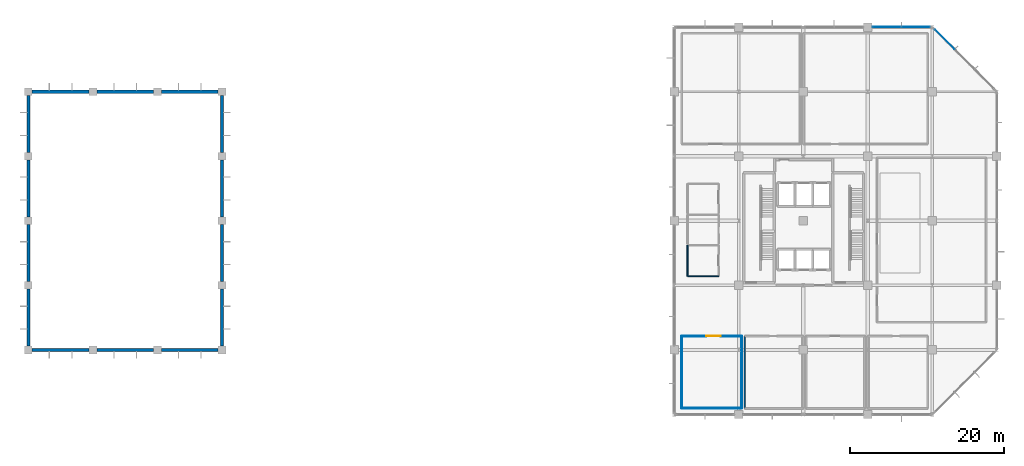
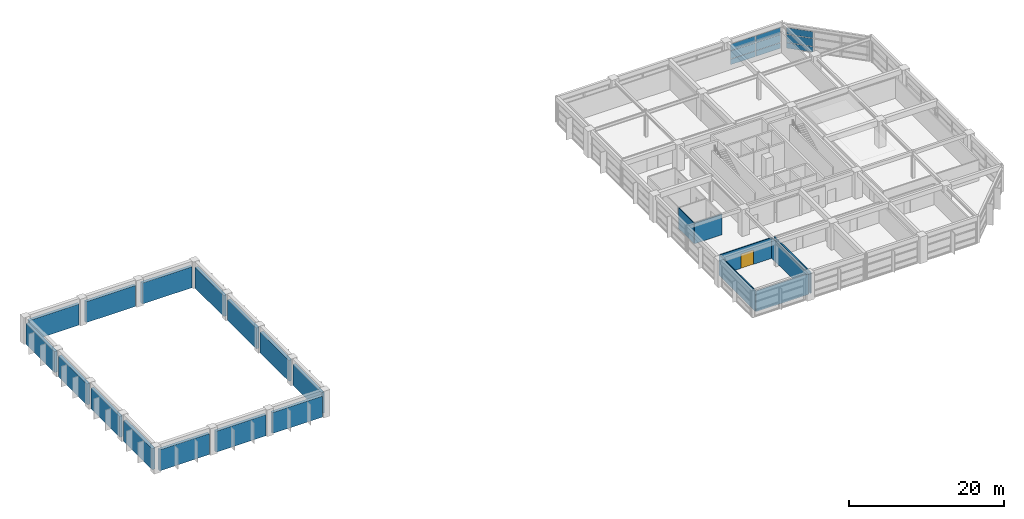
# One storey, part 14 of 18: 21 walls, 9 plates, 1 door, 1 opening, 2 elements without a shape of their own.
"""IFC4 building model written with IfcOpenShell, lengths in metres."""

from ifc_helpers import new_model, si_unit, direction, frame, frame_2d, origin, origin_2d, place, context, subcontext, project, spatial, rectangle, extrude, material, layer, layer_set, type_object, element, fill, aggregate, save


model = new_model("IFC4")

# Units and contexts
model_context = context("Model", 3, precision=1e-05, world=origin(), true_north=direction((0.0, 1.0)))
body_context = subcontext(model_context, "Body", "Model", "MODEL_VIEW")
ifc_project = project(units=[si_unit("LENGTHUNIT", "METRE"), si_unit("AREAUNIT", "SQUARE_METRE"), si_unit("VOLUMEUNIT", "CUBIC_METRE"), si_unit("PLANEANGLEUNIT", "RADIAN"), si_unit("MASSUNIT", "GRAM", prefix="KILO")], contexts=[model_context])

# Site, building, storey
site_placement = place(None, origin())
site = spatial("IfcSite", under=ifc_project, at=site_placement, CompositionType="ELEMENT")
building_placement = place(site_placement, origin())
building = spatial("IfcBuilding", under=site, at=building_placement, Name="Xuanlan Plaza Opera House", CompositionType="ELEMENT")
storey_placement = place(building_placement, frame((0.0, 0.0, 32.10009765625)))
storey = spatial("IfcBuildingStorey", under=building, at=storey_placement, Name="L07", CompositionType="ELEMENT", Elevation=32.10009765625)

# Curtain wall, plates
ifc_material_1 = material(Name="Anodised Aluminium 6063-T6 and Low-E Glass", Category="aluminium")
curtain_wall_type_1 = type_object("IfcCurtainWallType", Name="ENV-CW-CW-04", PredefinedType="USERDEFINED", material=ifc_material_1)
curtain_wall_1_placement = place(storey_placement, origin())
curtain_wall_1 = element("IfcCurtainWall", 1, at=curtain_wall_1_placement, inside=storey, type_object=curtain_wall_type_1, Name="Unitised Curtain Wall L07-011", ObjectType="UNITISED CURTAIN WALL", PredefinedType="USERDEFINED")
ifc_material_2 = material(Name="Laminated Acoustic Double Glazing", Category="glass")
ifc_layer_1 = layer(ifc_material_2, 0.031982421875)
ifc_layer_set_1 = layer_set([ifc_layer_1], Name="Laminated Acoustic Double Glazing")
plate_type_1 = type_object("IfcPlateType", Name="ENV-CWP-02", PredefinedType="CURTAIN_PANEL", material=ifc_layer_set_1)
plate_1_placement = place(storey_placement, frame((157.455078125, 84.0, 0.06494140625), z_axis=(0.0, 0.0, 1.0), x_axis=(-1.0, 0.0, 0.0)))
plate_1 = element("IfcPlate", 2, at=plate_1_placement, type_object=plate_type_1, Name="CW-04 panel 1.1", PredefinedType="CURTAIN_PANEL", context=body_context, shape_type="SweptSolid", body=[
    extrude(rectangle(XDim=3.669921875, YDim=0.031982421875, at=origin_2d()), origin(), (0.0, 0.0, 1.0), 0.8525390625),
])
plate_2_placement = place(storey_placement, frame((157.455078125, 84.0, 0.982421875), z_axis=(0.0, 0.0, 1.0), x_axis=(-1.0, 0.0, 0.0)))
plate_2 = element("IfcPlate", 3, at=plate_2_placement, type_object=plate_type_1, Name="CW-04 panel 1.2", PredefinedType="CURTAIN_PANEL", context=body_context, shape_type="SweptSolid", body=[
    extrude(rectangle(XDim=3.669921875, YDim=0.031982421875, at=origin_2d()), origin(), (0.0, 0.0, 1.0), 1.235107421875),
])
plate_3_placement = place(storey_placement, frame((157.455078125, 84.0, 2.2822265625), z_axis=(0.0, 0.0, 1.0), x_axis=(-1.0, 0.0, 0.0)))
plate_3 = element("IfcPlate", 4, at=plate_3_placement, type_object=plate_type_1, Name="CW-04 panel 1.3", PredefinedType="CURTAIN_PANEL", context=body_context, shape_type="SweptSolid", body=[
    extrude(rectangle(XDim=3.669921875, YDim=0.031982421875, at=origin_2d()), origin(), (0.0, 0.0, 1.0), 1.032470703125),
])
plate_4_placement = place(storey_placement, frame((153.695068359375, 84.0, 0.06494140625), z_axis=(0.0, 0.0, 1.0), x_axis=(-1.0, 0.0, 0.0)))
plate_4 = element("IfcPlate", 5, at=plate_4_placement, type_object=plate_type_1, Name="CW-04 panel 2.1", PredefinedType="CURTAIN_PANEL", context=body_context, shape_type="SweptSolid", body=[
    extrude(rectangle(XDim=3.669921875, YDim=0.031982421875, at=origin_2d()), origin(), (0.0, 0.0, 1.0), 0.8525390625),
])
plate_5_placement = place(storey_placement, frame((153.695068359375, 84.0, 0.982421875), z_axis=(0.0, 0.0, 1.0), x_axis=(-1.0, 0.0, 0.0)))
plate_5 = element("IfcPlate", 6, at=plate_5_placement, type_object=plate_type_1, Name="CW-04 panel 2.2", PredefinedType="CURTAIN_PANEL", context=body_context, shape_type="SweptSolid", body=[
    extrude(rectangle(XDim=3.669921875, YDim=0.031982421875, at=origin_2d()), origin(), (0.0, 0.0, 1.0), 1.235107421875),
])
plate_6_placement = place(storey_placement, frame((153.695068359375, 84.0, 2.2822265625), z_axis=(0.0, 0.0, 1.0), x_axis=(-1.0, 0.0, 0.0)))
plate_6 = element("IfcPlate", 7, at=plate_6_placement, type_object=plate_type_1, Name="CW-04 panel 2.3", PredefinedType="CURTAIN_PANEL", context=body_context, shape_type="SweptSolid", body=[
    extrude(rectangle(XDim=3.669921875, YDim=0.031982421875, at=origin_2d()), origin(), (0.0, 0.0, 1.0), 1.032470703125),
])
aggregate(curtain_wall_1, [plate_1, plate_2, plate_3, plate_4, plate_5, plate_6])

curtain_wall_type_2 = type_object("IfcCurtainWallType", Name="ENV-CW-CW-03", PredefinedType="USERDEFINED", material=ifc_material_1)
curtain_wall_2_placement = place(storey_placement, origin())
curtain_wall_2 = element("IfcCurtainWall", 8, at=curtain_wall_2_placement, inside=storey, type_object=curtain_wall_type_2, Name="Unitised Curtain Wall L07-010", ObjectType="UNITISED CURTAIN WALL", PredefinedType="USERDEFINED")
ifc_layer_2 = layer(ifc_material_2, 0.0400390625)
ifc_layer_set_2 = layer_set([ifc_layer_2], Name="Laminated Acoustic Double Glazing")
plate_type_2 = type_object("IfcPlateType", Name="ENV-CWP-04", PredefinedType="CURTAIN_PANEL", material=ifc_layer_set_2)
plate_7_placement = place(storey_placement, frame((161.21337890625, 82.386474609375, 0.079833984375), z_axis=(0.0, 0.0, 1.0), x_axis=(-0.707106781187, 0.707106781187, 0.0)))
plate_7 = element("IfcPlate", 9, at=plate_7_placement, type_object=plate_type_2, Name="CW-03 panel 3.1", PredefinedType="CURTAIN_PANEL", context=body_context, shape_type="SweptSolid", body=[
    extrude(rectangle(XDim=3.557861328125, YDim=0.0400390625, at=origin_2d()), origin(), (0.0, 0.0, 1.0), 0.830078125),
])
plate_8_placement = place(storey_placement, frame((161.21337890625, 82.386474609375, 0.98974609375), z_axis=(0.0, 0.0, 1.0), x_axis=(-0.707106781187, 0.707106781187, 0.0)))
plate_8 = element("IfcPlate", 10, at=plate_8_placement, type_object=plate_type_2, Name="CW-03 panel 3.2", PredefinedType="CURTAIN_PANEL", context=body_context, shape_type="SweptSolid", body=[
    extrude(rectangle(XDim=3.557861328125, YDim=0.0400390625, at=origin_2d()), origin(), (0.0, 0.0, 1.0), 1.219970703125),
])
plate_9_placement = place(storey_placement, frame((161.21337890625, 82.386474609375, 2.2900390625), z_axis=(0.0, 0.0, 1.0), x_axis=(-0.707106781187, 0.707106781187, 0.0)))
plate_9 = element("IfcPlate", 11, at=plate_9_placement, type_object=plate_type_2, Name="CW-03 panel 3.3", PredefinedType="CURTAIN_PANEL", context=body_context, shape_type="SweptSolid", body=[
    extrude(rectangle(XDim=3.557861328125, YDim=0.0400390625, at=origin_2d()), origin(), (0.0, 0.0, 1.0), 1.010009765625),
])
aggregate(curtain_wall_2, [plate_7, plate_8, plate_9])

# Walls
ifc_material_3 = material(Name="Concrete C40", Category="concrete")
ifc_layer_3 = layer(ifc_material_3, 0.419921875)
ifc_layer_set_3 = layer_set([ifc_layer_3], Name="Concrete C40")
wall_type_1 = type_object("IfcWallType", Name="ENV-WL-EW-FLY", PredefinedType="SHEAR", material=ifc_layer_set_3)
wall_1_placement = place(storey_placement, frame((42.5, 42.0, 0.0), z_axis=(0.0, 0.0, 1.0), x_axis=(1.0, 0.0, 0.0)))
element("IfcWall", 12, at=wall_1_placement, inside=storey, type_object=wall_type_1, Name="Fly Tower Acoustic Enclosure Wall L07-01", PredefinedType="SHEAR", context=body_context, shape_type="SweptSolid", body=[
    extrude(rectangle(XDim=7.39990234375, YDim=0.419921875, at=frame_2d((3.699951171875, 0.0))), origin(), (0.0, 0.0, 1.0), 3.2998046875),
])
wall_2_placement = place(storey_placement, frame((50.89990234375, 42.0, 0.0), z_axis=(0.0, 0.0, 1.0), x_axis=(1.0, 0.0, 0.0)))
element("IfcWall", 13, at=wall_2_placement, inside=storey, type_object=wall_type_1, Name="Fly Tower Acoustic Enclosure Wall L07-02", PredefinedType="SHEAR", context=body_context, shape_type="SweptSolid", body=[
    extrude(rectangle(XDim=7.400146484375, YDim=0.419921875, at=frame_2d((3.7001953125, 0.0))), origin(), (0.0, 0.0, 1.0), 3.2998046875),
])
for number, where, z_axis, x_axis, name in (
    (14, (59.300048828125, 42.0, 0.0), (0.0, 0.0, 1.0), (1.0, 0.0, 0.0), "Fly Tower Acoustic Enclosure Wall L07-03"),
    (15, (67.199951171875, 42.5, 0.0), (0.0, 0.0, 1.0), (0.0, 1.0, 0.0), "Fly Tower Acoustic Enclosure Wall L07-04"),
):
    element("IfcWall", number, at=place(storey_placement, frame(where, z_axis=z_axis, x_axis=x_axis)), inside=storey, type_object=wall_type_1, Name=name, PredefinedType="SHEAR", context=body_context, shape_type="SweptSolid", body=[
        extrude(rectangle(XDim=7.39990234375, YDim=0.419921875, at=frame_2d((3.699951171875, 0.0))), origin(), (0.0, 0.0, 1.0), 3.2998046875),
    ])
wall_3_placement = place(storey_placement, frame((67.199951171875, 50.89990234375, 0.0), z_axis=(0.0, 0.0, 1.0), x_axis=(0.0, 1.0, 0.0)))
element("IfcWall", 16, at=wall_3_placement, inside=storey, type_object=wall_type_1, Name="Fly Tower Acoustic Enclosure Wall L07-05", PredefinedType="SHEAR", context=body_context, shape_type="SweptSolid", body=[
    extrude(rectangle(XDim=7.400146484375, YDim=0.419921875, at=frame_2d((3.7001953125, 0.0))), origin(), (0.0, 0.0, 1.0), 3.2998046875),
])
wall_4_placement = place(storey_placement, frame((67.199951171875, 59.300048828125, 0.0), z_axis=(0.0, 0.0, 1.0), x_axis=(0.0, 1.0, 0.0)))
element("IfcWall", 17, at=wall_4_placement, inside=storey, type_object=wall_type_1, Name="Fly Tower Acoustic Enclosure Wall L07-06", PredefinedType="SHEAR", context=body_context, shape_type="SweptSolid", body=[
    extrude(rectangle(XDim=7.39990234375, YDim=0.419921875, at=frame_2d((3.699951171875, 0.0))), origin(), (0.0, 0.0, 1.0), 3.2998046875),
])
wall_5_placement = place(storey_placement, frame((67.199951171875, 67.699951171875, 0.0), z_axis=(0.0, 0.0, 1.0), x_axis=(0.0, 1.0, 0.0)))
element("IfcWall", 18, at=wall_5_placement, inside=storey, type_object=wall_type_1, Name="Fly Tower Acoustic Enclosure Wall L07-07", PredefinedType="SHEAR", context=body_context, shape_type="SweptSolid", body=[
    extrude(rectangle(XDim=7.400146484375, YDim=0.419921875, at=frame_2d((3.7001953125, 0.0))), origin(), (0.0, 0.0, 1.0), 3.2998046875),
])
wall_6_placement = place(storey_placement, frame((66.699951171875, 75.60009765625, 0.0), z_axis=(0.0, 0.0, 1.0), x_axis=(-1.0, 0.0, 0.0)))
element("IfcWall", 19, at=wall_6_placement, inside=storey, type_object=wall_type_1, Name="Fly Tower Acoustic Enclosure Wall L07-08", PredefinedType="SHEAR", context=body_context, shape_type="SweptSolid", body=[
    extrude(rectangle(XDim=7.39990234375, YDim=0.419921875, at=frame_2d((3.699951171875, 0.0))), origin(), (0.0, 0.0, 1.0), 3.2998046875),
])
wall_7_placement = place(storey_placement, frame((58.300048828125, 75.60009765625, 0.0), z_axis=(0.0, 0.0, 1.0), x_axis=(-1.0, 0.0, 0.0)))
element("IfcWall", 20, at=wall_7_placement, inside=storey, type_object=wall_type_1, Name="Fly Tower Acoustic Enclosure Wall L07-09", PredefinedType="SHEAR", context=body_context, shape_type="SweptSolid", body=[
    extrude(rectangle(XDim=7.400146484375, YDim=0.419921875, at=frame_2d((3.7001953125, 0.0))), origin(), (0.0, 0.0, 1.0), 3.2998046875),
])
wall_8_placement = place(storey_placement, frame((49.89990234375, 75.60009765625, 0.0), z_axis=(0.0, 0.0, 1.0), x_axis=(-1.0, 0.0, 0.0)))
element("IfcWall", 21, at=wall_8_placement, inside=storey, type_object=wall_type_1, Name="Fly Tower Acoustic Enclosure Wall L07-10", PredefinedType="SHEAR", context=body_context, shape_type="SweptSolid", body=[
    extrude(rectangle(XDim=7.39990234375, YDim=0.419921875, at=frame_2d((3.699951171875, 0.0))), origin(), (0.0, 0.0, 1.0), 3.2998046875),
])
wall_9_placement = place(storey_placement, frame((42.0, 75.10009765625, 0.0), z_axis=(0.0, 0.0, 1.0), x_axis=(0.0, -1.0, 0.0)))
element("IfcWall", 22, at=wall_9_placement, inside=storey, type_object=wall_type_1, Name="Fly Tower Acoustic Enclosure Wall L07-11", PredefinedType="SHEAR", context=body_context, shape_type="SweptSolid", body=[
    extrude(rectangle(XDim=7.400146484375, YDim=0.419921875, at=frame_2d((3.7001953125, 0.0))), origin(), (0.0, 0.0, 1.0), 3.2998046875),
])
wall_10_placement = place(storey_placement, frame((42.0, 66.699951171875, 0.0), z_axis=(0.0, 0.0, 1.0), x_axis=(0.0, -1.0, 0.0)))
element("IfcWall", 23, at=wall_10_placement, inside=storey, type_object=wall_type_1, Name="Fly Tower Acoustic Enclosure Wall L07-12", PredefinedType="SHEAR", context=body_context, shape_type="SweptSolid", body=[
    extrude(rectangle(XDim=7.39990234375, YDim=0.419921875, at=frame_2d((3.699951171875, 0.0))), origin(), (0.0, 0.0, 1.0), 3.2998046875),
])
wall_11_placement = place(storey_placement, frame((42.0, 58.300048828125, 0.0), z_axis=(0.0, 0.0, 1.0), x_axis=(0.0, -1.0, 0.0)))
element("IfcWall", 24, at=wall_11_placement, inside=storey, type_object=wall_type_1, Name="Fly Tower Acoustic Enclosure Wall L07-13", PredefinedType="SHEAR", context=body_context, shape_type="SweptSolid", body=[
    extrude(rectangle(XDim=7.400146484375, YDim=0.419921875, at=frame_2d((3.7001953125, 0.0))), origin(), (0.0, 0.0, 1.0), 3.2998046875),
])
wall_12_placement = place(storey_placement, frame((42.0, 49.89990234375, 0.0), z_axis=(0.0, 0.0, 1.0), x_axis=(0.0, -1.0, 0.0)))
element("IfcWall", 25, at=wall_12_placement, inside=storey, type_object=wall_type_1, Name="Fly Tower Acoustic Enclosure Wall L07-14", PredefinedType="SHEAR", context=body_context, shape_type="SweptSolid", body=[
    extrude(rectangle(XDim=7.39990234375, YDim=0.419921875, at=frame_2d((3.699951171875, 0.0))), origin(), (0.0, 0.0, 1.0), 3.2998046875),
])
ifc_material_4 = material(Name="Gypsum Board and Galvanised Steel Studs", Category="gypsum")
ifc_layer_4 = layer(ifc_material_4, 0.179931640625)
ifc_layer_set_4 = layer_set([ifc_layer_4], Name="Gypsum Board and Galvanised Steel Studs")
wall_type_2 = type_object("IfcWallType", Name="INT-WL-PW-02", PredefinedType="PARTITIONING", material=ifc_layer_set_4)
wall_13_placement = place(storey_placement, frame((135.199951171875, 34.39990234375, 0.0), z_axis=(0.0, 0.0, 1.0), x_axis=(0.0, 1.0, 0.0)))
element("IfcWall", 26, at=wall_13_placement, inside=storey, type_object=wall_type_2, Name="Cultural Administration Office 2 Wall West", PredefinedType="PARTITIONING", context=body_context, shape_type="SweptSolid", body=[
    extrude(rectangle(XDim=9.400146484375, YDim=0.179931640625, at=frame_2d((4.7001953125, 0.0))), origin(), (0.0, 0.0, 1.0), 3.239990234375),
])
ifc_material_5 = material(Name="Autoclaved Aerated Blockwork Masonry", Category="masonry")
ifc_layer_5 = layer(ifc_material_5, 0.14990234375)
ifc_layer_set_5 = layer_set([ifc_layer_5], Name="Autoclaved Aerated Blockwork Masonry")
wall_type_3 = type_object("IfcWallType", Name="INT-WL-PW-03", PredefinedType="PARTITIONING", material=ifc_layer_set_5)
wall_14_placement = place(storey_placement, frame((127.75, 51.60009765625, 0.0), z_axis=(0.0, 0.0, 1.0), x_axis=(1.0, 0.0, 0.0)))
element("IfcWall", 27, at=wall_14_placement, inside=storey, type_object=wall_type_3, Name="Public WC Wall South", PredefinedType="PARTITIONING", context=body_context, shape_type="SweptSolid", body=[
    extrude(rectangle(XDim=4.050048828125, YDim=0.14990234375, at=frame_2d((2.02490234375, 0.0))), origin(), (0.0, 0.0, 1.0), 3.239990234375),
])
wall_15_placement = place(storey_placement, frame((127.75, 51.60009765625, 0.0), z_axis=(0.0, 0.0, 1.0), x_axis=(0.0, 1.0, 0.0)))
element("IfcWall", 28, at=wall_15_placement, inside=storey, type_object=wall_type_3, Name="Public WC Wall West", PredefinedType="PARTITIONING", context=body_context, shape_type="SweptSolid", body=[
    extrude(rectangle(XDim=4.0, YDim=0.14990234375, at=frame_2d((2.0, 0.0))), origin(), (0.0, 0.0, 1.0), 3.239990234375),
])
ifc_layer_6 = layer(ifc_material_4, 0.1201171875)
ifc_layer_set_6 = layer_set([ifc_layer_6], Name="Gypsum Board and Galvanised Steel Studs")
wall_type_4 = type_object("IfcWallType", Name="INT-WL-PW-04", PredefinedType="PARTITIONING", material=ifc_layer_set_6)
wall_16_placement = place(storey_placement, frame((127.0, 34.39990234375, 0.0), z_axis=(0.0, 0.0, 1.0), x_axis=(1.0, 0.0, 0.0)))
element("IfcWall", 29, at=wall_16_placement, inside=storey, type_object=wall_type_4, Name="Cultural Administration Office 1 Wall South", PredefinedType="PARTITIONING", context=body_context, shape_type="SweptSolid", body=[
    extrude(rectangle(XDim=7.800048828125, YDim=0.1201171875, at=frame_2d((3.89990234375, 0.0))), origin(), (0.0, 0.0, 1.0), 3.239990234375),
])

# Wall, opening, door
wall_17_placement = place(storey_placement, frame((127.0, 43.800048828125, 0.0), z_axis=(0.0, 0.0, 1.0), x_axis=(1.0, 0.0, 0.0)))
wall_17 = element("IfcWall", 30, at=wall_17_placement, inside=storey, type_object=wall_type_4, Name="Cultural Administration Office 1 Wall North", PredefinedType="PARTITIONING", context=body_context, shape_type="SweptSolid", body=[
    extrude(rectangle(XDim=7.800048828125, YDim=0.1201171875, at=frame_2d((3.89990234375, 0.0))), origin(), (0.0, 0.0, 1.0), 3.239990234375),
])
opening_placement = place(wall_17_placement, frame((3.199951171875, 0.0, 0.0)))
opening = element("IfcOpeningElement", 31, at=opening_placement, cuts=wall_17, Name="Opening D-15", PredefinedType="OPENING", context=body_context, shape_type="SweptSolid", body=[
    extrude(rectangle(XDim=1.860107421875, YDim=2.260009765625, at=frame_2d((0.93017578125, 1.1298828125))), frame((0.0, 0.070068359375, 0.0), z_axis=(0.0, -1.0, 0.0), x_axis=(1.0, 0.0, 0.0)), (0.0, 0.0, 1.0), 0.14013671875),
])
ifc_material_6 = material(Name="Walnut Hardwood Timber", Category="wood")
door_type = type_object("IfcDoorType", Name="INT-DR-D-15", OperationType="DOUBLE_DOOR_SINGLE_SWING", PredefinedType="DOOR", material=ifc_material_6)
door_placement = place(opening_placement, origin())
door = element("IfcDoor", 32, at=door_placement, inside=storey, type_object=door_type, Name="Cultural Administration Office 1 Door 1", OperationType="DOUBLE_DOOR_SINGLE_SWING", OverallHeight=2.260009765625, OverallWidth=1.860107421875, PredefinedType="DOOR", context=body_context, shape_type="SweptSolid", body=[
    extrude(rectangle(XDim=1.860107421875, YDim=2.260009765625, at=frame_2d((0.93017578125, 1.1298828125))), frame((0.0, 0.02490234375, 0.0), z_axis=(0.0, -1.0, 0.0), x_axis=(1.0, 0.0, 0.0)), (0.0, 0.0, 1.0), 0.050048828125),
])
fill(opening, door)

# Walls
for number, where, z_axis, x_axis, name in (
    (33, (127.0, 34.39990234375, 0.0), (0.0, 0.0, 1.0), (0.0, 1.0, 0.0), "Cultural Administration Office 1 Wall West"),
    (34, (134.800048828125, 34.39990234375, 0.0), (0.0, 0.0, 1.0), (0.0, 1.0, 0.0), "Cultural Administration Office 1 Wall East"),
):
    element("IfcWall", number, at=place(storey_placement, frame(where, z_axis=z_axis, x_axis=x_axis)), inside=storey, type_object=wall_type_4, Name=name, PredefinedType="PARTITIONING", context=body_context, shape_type="SweptSolid", body=[
        extrude(rectangle(XDim=9.400146484375, YDim=0.1201171875, at=frame_2d((4.7001953125, 0.0))), origin(), (0.0, 0.0, 1.0), 3.239990234375),
    ])

save(model, "model.ifc")
